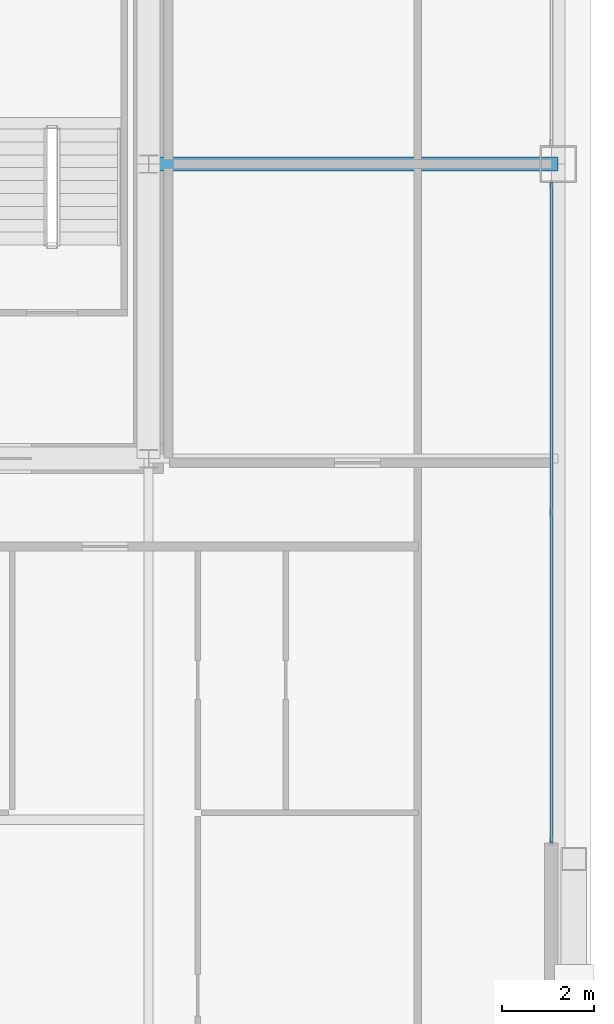
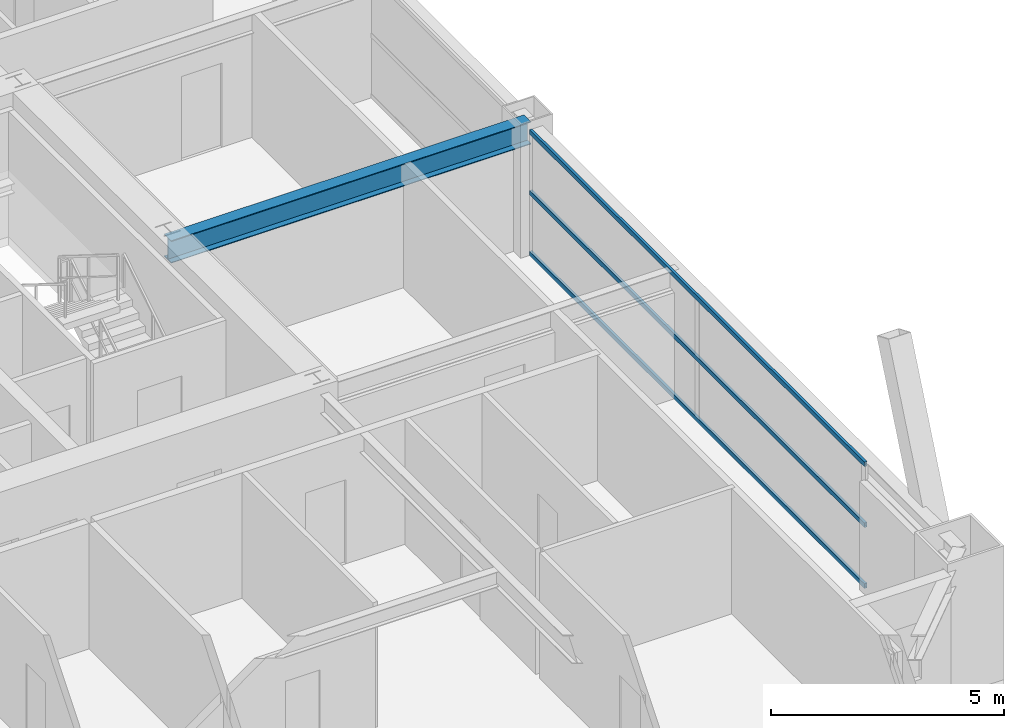
# One storey, part 20 of 42: 3 members, 1 beam, 1 element without a shape of its own.
"""IFC4 building model written with IfcOpenShell, lengths in metres."""

from ifc_helpers import new_model, si_unit, direction, frame, origin, origin_2d, place, context, subcontext, project, spatial, hollow_rectangle, i_section, extrude, source, transform, mapped, material, layer, layer_set, material_profile, profile_set, type_object, element, aggregate, save


model = new_model("IFC4")

# Units and contexts
model_context = context("Model", 3, precision=1e-05, world=origin(), true_north=direction((0.0, 1.0)))
body_context = subcontext(model_context, "Body", "Model", "MODEL_VIEW")
ifc_project = project(units=[si_unit("LENGTHUNIT", "METRE"), si_unit("AREAUNIT", "SQUARE_METRE"), si_unit("VOLUMEUNIT", "CUBIC_METRE"), si_unit("PLANEANGLEUNIT", "RADIAN"), si_unit("MASSUNIT", "GRAM", prefix="KILO"), si_unit("THERMODYNAMICTEMPERATUREUNIT", "KELVIN"), si_unit("POWERUNIT", "WATT")], contexts=[model_context])

# Site, building, storey
site_placement = place(None, origin())
site = spatial("IfcSite", under=ifc_project, at=site_placement, CompositionType="ELEMENT")
building_placement = place(site_placement, origin())
building = spatial("IfcBuilding", under=site, at=building_placement, Name="Yuzanri Waterfront Tower", CompositionType="ELEMENT")
storey_placement = place(building_placement, frame((0.0, 0.0, 205.5)))
storey = spatial("IfcBuildingStorey", under=building, at=storey_placement, Name="L54", CompositionType="ELEMENT", Elevation=205.5)

# Beam
ifc_material_1 = material(Name="Steel Q355B", Category="steel")
ifc_material_profile_1 = material_profile(ifc_material_1, i_section(OverallWidth=0.300048828125, OverallDepth=0.587890625, WebThickness=0.011962890625, FlangeThickness=0.02001953125, at=origin_2d()), Name="HM 588x300x12x20")
ifc_profile_set_1 = profile_set([ifc_material_profile_1], Name="Steel Q355B")
beam_type = type_object("IfcBeamType", Name="Primary Floor Girder Q355B HM 588x300", PredefinedType="BEAM", material=ifc_profile_set_1)
shared_shape_1 = source(origin(), body_context, "Body", "SweptSolid", [
    extrude(i_section(OverallWidth=0.300048828125, OverallDepth=0.587890625, WebThickness=0.011962890625, FlangeThickness=0.02001953125, at=origin_2d()), origin(), (0.0, 0.0, 1.0), 8.900146484375),
])
beam_placement = place(storey_placement, frame((50.199951171875, 25.800048828125, 2.986083984375), z_axis=(1.0, 0.0, 0.0), x_axis=(0.0, 1.0, 0.0)))
element("IfcBeam", 1, at=beam_placement, inside=storey, type_object=beam_type, Name="L54 East Grid Girder", PredefinedType="BEAM", context=body_context, shape_type="MappedRepresentation", body=[
    mapped(shared_shape_1, transform((0.0, 0.0, 0.0), scale=1.0)),
])

# Curtain wall, members
ifc_material_2 = material(Name="Anodized Architectural Bronze", Category="metal")
ifc_layer = layer(ifc_material_2, 0.159912109375)
ifc_layer_set = layer_set([ifc_layer], Name="Anodized Architectural Bronze")
curtain_wall_type = type_object("IfcCurtainWallType", Name="Anodized Bronze Mid-Rise Residential Acoustic Unitized Curtain Wall 7200", PredefinedType="NOTDEFINED", material=ifc_layer_set)
curtain_wall_placement = place(storey_placement, origin())
curtain_wall = element("IfcCurtainWall", 2, at=curtain_wall_placement, inside=storey, type_object=curtain_wall_type, Name="L54 Curtain Wall CW-L54-EL", PredefinedType="NOTDEFINED")
ifc_material_3 = material(Name="Anodized Architectural Bronze", Category="metal")
ifc_material_profile_2 = material_profile(ifc_material_3, hollow_rectangle(XDim=0.06494140625, YDim=0.1201171875, WallThickness=0.00341796875, at=origin_2d()), Name="CWT 65x120")
ifc_profile_set_2 = profile_set([ifc_material_profile_2], Name="Anodized Architectural Bronze")
member_type = type_object("IfcMemberType", Name="Anodized Bronze Secondary Curtain-Wall Transom 65x120", PredefinedType="USERDEFINED", material=ifc_profile_set_2)
shared_shape_2 = source(origin(), body_context, "Body", "SweptSolid", [
    extrude(hollow_rectangle(XDim=0.06494140625, YDim=0.1201171875, WallThickness=0.00341796875, at=origin_2d()), origin(), (0.0, 0.0, 1.0), 14.349853515625),
])
member_1_placement = place(storey_placement, frame((58.949951171875, 11.050048828125, 0.050048828125), z_axis=(0.0, 1.0, 0.0), x_axis=(-1.0, 0.0, 0.0)))
member_1 = element("IfcMember", 3, at=member_1_placement, type_object=member_type, Name="CW-L54-EL Transom 1", ObjectType="TRANSOM", PredefinedType="USERDEFINED", context=body_context, shape_type="MappedRepresentation", body=[
    mapped(shared_shape_2, transform((0.0, 0.0, 0.0), scale=1.0)),
])
member_2_placement = place(storey_placement, frame((58.949951171875, 11.050048828125, 1.639892578125), z_axis=(0.0, 1.0, 0.0), x_axis=(-1.0, 0.0, 0.0)))
member_2 = element("IfcMember", 4, at=member_2_placement, type_object=member_type, Name="CW-L54-EL Transom 2", ObjectType="TRANSOM", PredefinedType="USERDEFINED", context=body_context, shape_type="MappedRepresentation", body=[
    mapped(shared_shape_2, transform((0.0, 0.0, 0.0), scale=1.0)),
])
member_3_placement = place(storey_placement, frame((58.949951171875, 11.050048828125, 3.22998046875), z_axis=(0.0, 1.0, 0.0), x_axis=(-1.0, 0.0, 0.0)))
member_3 = element("IfcMember", 5, at=member_3_placement, type_object=member_type, Name="CW-L54-EL Transom 3", ObjectType="TRANSOM", PredefinedType="USERDEFINED", context=body_context, shape_type="MappedRepresentation", body=[
    mapped(shared_shape_2, transform((0.0, 0.0, 0.0), scale=1.0)),
])
aggregate(curtain_wall, [member_1, member_2, member_3])

save(model, "model.ifc")
